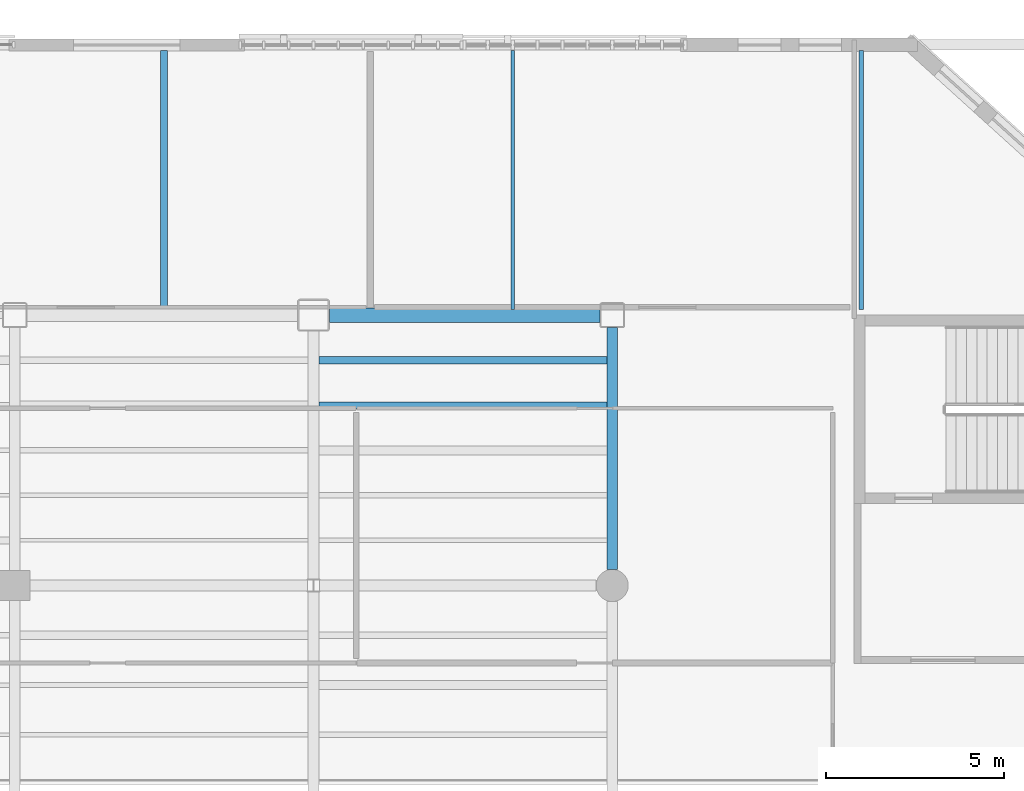
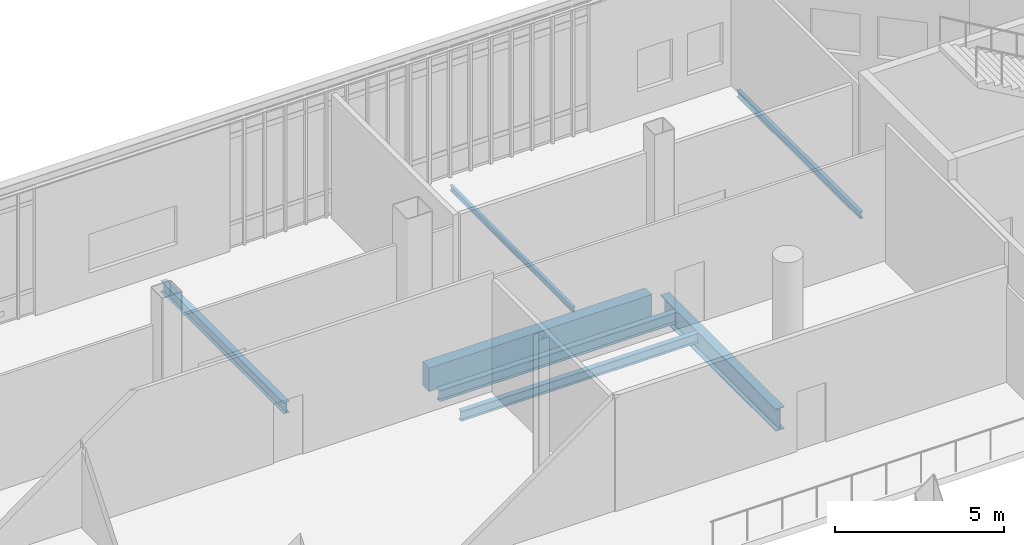
# One storey, part 35 of 127: 7 beams.
"""IFC4 building model written with IfcOpenShell, lengths in metres."""

from ifc_helpers import new_model, si_unit, direction, frame, origin, origin_2d, place, context, subcontext, project, spatial, rectangle, i_section, extrude, material, material_profile, profile_set, type_object, element, save


model = new_model("IFC4")

# Units and contexts
model_context = context("Model", 3, precision=1e-05, world=origin(), true_north=direction((0.0, 1.0)))
body_context = subcontext(model_context, "Body", "Model", "MODEL_VIEW")
ifc_project = project(units=[si_unit("LENGTHUNIT", "METRE"), si_unit("AREAUNIT", "SQUARE_METRE"), si_unit("VOLUMEUNIT", "CUBIC_METRE"), si_unit("PLANEANGLEUNIT", "RADIAN"), si_unit("MASSUNIT", "GRAM", prefix="KILO")], contexts=[model_context])

# Site, building, storey
site_placement = place(None, origin())
site = spatial("IfcSite", under=ifc_project, at=site_placement, CompositionType="ELEMENT")
building_placement = place(site_placement, origin())
building = spatial("IfcBuilding", under=site, at=building_placement, Name="Larkvane Passage Sports Hall", CompositionType="ELEMENT")
storey_placement = place(building_placement, frame((0.0, 0.0, 5.39990234375)))
storey = spatial("IfcBuildingStorey", under=building, at=storey_placement, Name="L01", CompositionType="ELEMENT", Elevation=5.39990234375)

# Beams
ifc_material_1 = material(Name="Steel S460N", Category="steel")
ifc_material_profile_1 = material_profile(ifc_material_1, i_section(OverallWidth=0.300048828125, OverallDepth=0.800048828125, WebThickness=0.013916015625, FlangeThickness=0.02587890625, FilletRadius=0.02197265625, at=origin_2d()), Name="H-800x300x14x26")
ifc_profile_set_1 = profile_set([ifc_material_profile_1], Name="Steel S460N")
beam_type_1 = type_object("IfcBeamType", Name="BM-STL-H800", PredefinedType="BEAM", material=ifc_profile_set_1)
beam_1_placement = place(storey_placement, frame((76.800048828125, 84.449951171875, -0.81982421875), z_axis=(0.0, 1.0, 0.0), x_axis=(-1.0, 0.0, 0.0)))
element("IfcBeam", 1, at=beam_1_placement, inside=storey, type_object=beam_type_1, Name="Girder BM5-Y-L01-11-0479", PredefinedType="BEAM", context=body_context, shape_type="SweptSolid", body=[
    extrude(i_section(OverallWidth=0.300048828125, OverallDepth=0.800048828125, WebThickness=0.013916015625, FlangeThickness=0.02587890625, FilletRadius=0.02197265625, at=origin_2d()), origin(), (0.0, 0.0, 1.0), 6.800048828125),
])
ifc_material_2 = material(Name="Steel S355JR", Category="steel")
ifc_material_profile_2 = material_profile(ifc_material_2, i_section(OverallWidth=0.10009765625, OverallDepth=0.199951171875, WebThickness=0.005615234375, FlangeThickness=0.008056640625, FilletRadius=0.008056640625, at=origin_2d()), Name="H-200x100x5.5x8")
ifc_profile_set_2 = profile_set([ifc_material_profile_2], Name="Steel S355JR")
beam_type_2 = type_object("IfcBeamType", Name="JST-STL-H200", PredefinedType="JOIST", material=ifc_profile_set_2)
beam_2_placement = place(storey_placement, frame((74.0, 91.760009765625, -0.329833984375), z_axis=(0.0, 1.0, 0.0), x_axis=(-1.0, 0.0, 0.0)))
element("IfcBeam", 2, at=beam_2_placement, inside=storey, type_object=beam_type_2, Name="Cantilever floor joist CT-N1A--2-4", PredefinedType="JOIST", context=body_context, shape_type="SweptSolid", body=[
    extrude(i_section(OverallWidth=0.10009765625, OverallDepth=0.199951171875, WebThickness=0.005615234375, FlangeThickness=0.008056640625, FilletRadius=0.008056640625, at=origin_2d()), origin(), (0.0, 0.0, 1.0), 7.280029296875),
])
ifc_material_profile_3 = material_profile(ifc_material_2, i_section(OverallWidth=0.125, OverallDepth=0.25, WebThickness=0.006103515625, FlangeThickness=0.009033203125, FilletRadius=0.008056640625, at=origin_2d()), Name="H-250x125x6x9")
ifc_profile_set_3 = profile_set([ifc_material_profile_3], Name="Steel S355JR")
beam_type_3 = type_object("IfcBeamType", Name="JST-STL-H250", PredefinedType="JOIST", material=ifc_profile_set_3)
beam_3_placement = place(storey_placement, frame((83.800048828125, 91.760009765625, -0.35498046875), z_axis=(0.0, 1.0, 0.0), x_axis=(-1.0, 0.0, 0.0)))
element("IfcBeam", 3, at=beam_3_placement, inside=storey, type_object=beam_type_3, Name="Cantilever floor joist CT-N1A--2-5", PredefinedType="JOIST", context=body_context, shape_type="SweptSolid", body=[
    extrude(i_section(OverallWidth=0.125, OverallDepth=0.25, WebThickness=0.006103515625, FlangeThickness=0.009033203125, FilletRadius=0.008056640625, at=origin_2d()), origin(), (0.0, 0.0, 1.0), 7.280029296875),
])
ifc_material_profile_4 = material_profile(ifc_material_2, i_section(OverallWidth=0.175048828125, OverallDepth=0.35009765625, WebThickness=0.007080078125, FlangeThickness=0.010986328125, FilletRadius=0.012939453125, at=origin_2d()), Name="H-350x175x7x11")
ifc_profile_set_4 = profile_set([ifc_material_profile_4], Name="Steel S355JR")
beam_type_4 = type_object("IfcBeamType", Name="JST-STL-H350", PredefinedType="JOIST", material=ifc_profile_set_4)
beam_4_placement = place(storey_placement, frame((68.550048828125, 89.066650390625, -0.594970703125), z_axis=(1.0, 0.0, 0.0), x_axis=(0.0, 1.0, 0.0)))
element("IfcBeam", 4, at=beam_4_placement, inside=storey, type_object=beam_type_4, Name="Composite joist L01 10/K-4", PredefinedType="JOIST", context=body_context, shape_type="SweptSolid", body=[
    extrude(i_section(OverallWidth=0.175048828125, OverallDepth=0.35009765625, WebThickness=0.007080078125, FlangeThickness=0.010986328125, FilletRadius=0.012939453125, at=origin_2d()), origin(), (0.0, 0.0, 1.0), 8.099853515625),
])
ifc_material_profile_5 = material_profile(ifc_material_2, i_section(OverallWidth=0.199951171875, OverallDepth=0.39990234375, WebThickness=0.008056640625, FlangeThickness=0.012939453125, FilletRadius=0.012939453125, at=origin_2d()), Name="H-400x200x8x13")
ifc_profile_set_5 = profile_set([ifc_material_profile_5], Name="Steel S355JR")
beam_type_5 = type_object("IfcBeamType", Name="JST-STL-H400", PredefinedType="JOIST", material=ifc_profile_set_5)
beam_5_placement = place(storey_placement, frame((68.550048828125, 90.333251953125, -0.619873046875), z_axis=(1.0, 0.0, 0.0), x_axis=(0.0, 1.0, 0.0)))
element("IfcBeam", 5, at=beam_5_placement, inside=storey, type_object=beam_type_5, Name="Composite joist L01 10/K-5", PredefinedType="JOIST", context=body_context, shape_type="SweptSolid", body=[
    extrude(i_section(OverallWidth=0.199951171875, OverallDepth=0.39990234375, WebThickness=0.008056640625, FlangeThickness=0.012939453125, FilletRadius=0.012939453125, at=origin_2d()), origin(), (0.0, 0.0, 1.0), 8.099853515625),
])
beam_6_placement = place(storey_placement, frame((64.199951171875, 91.760009765625, -0.429931640625), z_axis=(0.0, 1.0, 0.0), x_axis=(-1.0, 0.0, 0.0)))
element("IfcBeam", 6, at=beam_6_placement, inside=storey, type_object=beam_type_5, Name="Cantilever floor joist CT-N1A--2-3", PredefinedType="JOIST", context=body_context, shape_type="SweptSolid", body=[
    extrude(i_section(OverallWidth=0.199951171875, OverallDepth=0.39990234375, WebThickness=0.008056640625, FlangeThickness=0.012939453125, FilletRadius=0.012939453125, at=origin_2d()), origin(), (0.0, 0.0, 1.0), 7.280029296875),
])
ifc_material_3 = material(Name="Concrete C40/50", Category="concrete")
ifc_material_profile_6 = material_profile(ifc_material_3, rectangle(XDim=0.39990234375, YDim=0.85009765625, at=origin_2d()), Name="RC-SP-400x850")
ifc_profile_set_6 = profile_set([ifc_material_profile_6], Name="Concrete C40/50")
beam_type_6 = type_object("IfcBeamType", Name="SP-RC-400x850", PredefinedType="SPANDREL", material=ifc_profile_set_6)
beam_7_placement = place(storey_placement, frame((68.85009765625, 91.60009765625, -0.844970703125), z_axis=(1.0, 0.0, 0.0), x_axis=(0.0, 1.0, 0.0)))
element("IfcBeam", 7, at=beam_7_placement, inside=storey, type_object=beam_type_6, Name="Girder BM5-X-L01-L-0438", PredefinedType="SPANDREL", context=body_context, shape_type="SweptSolid", body=[
    extrude(rectangle(XDim=0.39990234375, YDim=0.85009765625, at=origin_2d()), origin(), (0.0, 0.0, 1.0), 7.599853515625),
])

save(model, "model.ifc")
